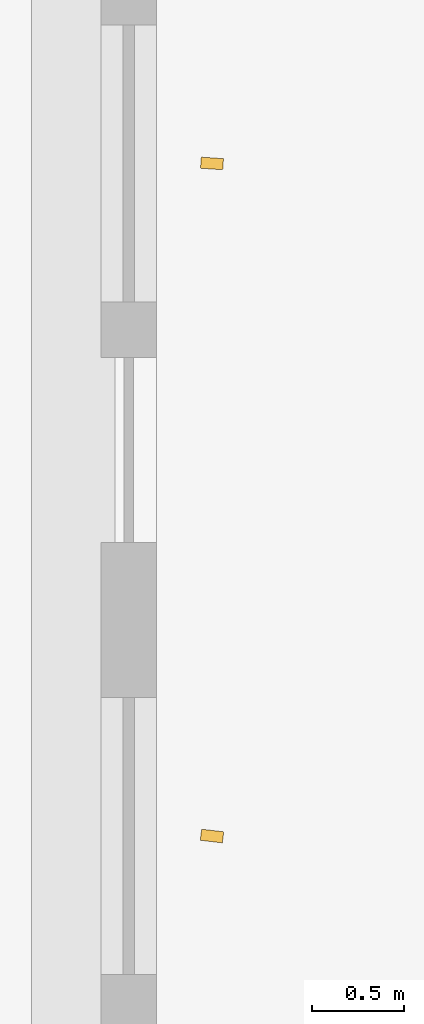
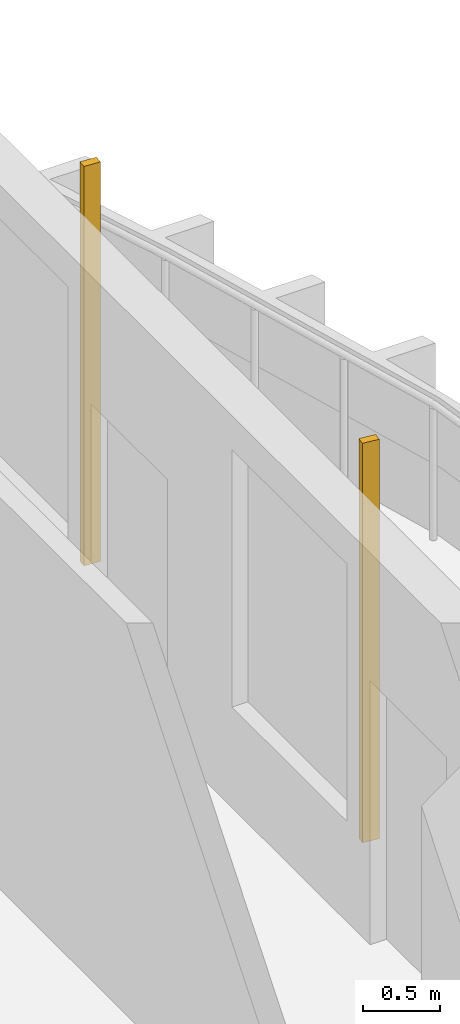
# One storey, part 15 of 17: 2 shading devices.
"""IFC4 building model written with IfcOpenShell, lengths in metres."""

from ifc_helpers import new_model, si_unit, direction, frame, origin, origin_2d, place, context, subcontext, project, spatial, rectangle, extrude, source, transform, mapped, material, material_profile, profile_set, type_object, element, save


model = new_model("IFC4")

# Units and contexts
model_context = context("Model", 3, precision=1e-05, world=origin(), true_north=direction((0.0, 1.0)))
body_context = subcontext(model_context, "Body", "Model", "MODEL_VIEW")
ifc_project = project(units=[si_unit("LENGTHUNIT", "METRE"), si_unit("AREAUNIT", "SQUARE_METRE"), si_unit("VOLUMEUNIT", "CUBIC_METRE"), si_unit("PLANEANGLEUNIT", "RADIAN"), si_unit("MASSUNIT", "GRAM", prefix="KILO")], contexts=[model_context])

# Site, building, storey
site_placement = place(None, origin())
site = spatial("IfcSite", under=ifc_project, at=site_placement, CompositionType="ELEMENT")
building_placement = place(site_placement, origin())
building = spatial("IfcBuilding", under=site, at=building_placement, Name="Kilnfold Tower and Market Hall", CompositionType="ELEMENT")
storey_placement = place(building_placement, frame((0.0, 0.0, 308.60009765625)))
storey = spatial("IfcBuildingStorey", under=building, at=storey_placement, Name="L77", CompositionType="ELEMENT", Elevation=308.60009765625)

# Shading devices
ifc_material = material(Name="Terracotta", Category="masonry")
ifc_material_profile = material_profile(ifc_material, rectangle(XDim=0.06005859375, YDim=0.1201171875, at=origin_2d()), Name="BAG 60x120")
ifc_profile_set = profile_set([ifc_material_profile], Name="Terracotta")
shading_device_type = type_object("IfcShadingDeviceType", Name="BAGUETTE", PredefinedType="USERDEFINED", material=ifc_profile_set)
shared_shape = source(origin(), body_context, "Body", "SweptSolid", [
    extrude(rectangle(XDim=0.06005859375, YDim=0.1201171875, at=origin_2d()), origin(), (0.0, 0.0, 1.0), 3.179931640625),
])
for number, where, z_axis, x_axis, name in (
    (1, (23.800048828125, 2.925048828125, 0.0), (0.0, 0.0, 1.0), (0.116700205014, 0.993167187411, 0.0), "Terracotta baguette L77 E"),
    (2, (23.800048828125, 6.5625, 0.0), (0.0, 0.0, 1.0), (0.068838896409, 0.997627789479, 0.0), "Terracotta baguette L77 E"),
):
    element("IfcShadingDevice", number, at=place(storey_placement, frame(where, z_axis=z_axis, x_axis=x_axis)), inside=storey, type_object=shading_device_type, Name=name, ObjectType="BAGUETTE", PredefinedType="USERDEFINED", context=body_context, shape_type="MappedRepresentation", body=[
        mapped(shared_shape, transform((0.0, 0.0, 0.0))),
    ])

save(model, "model.ifc")
